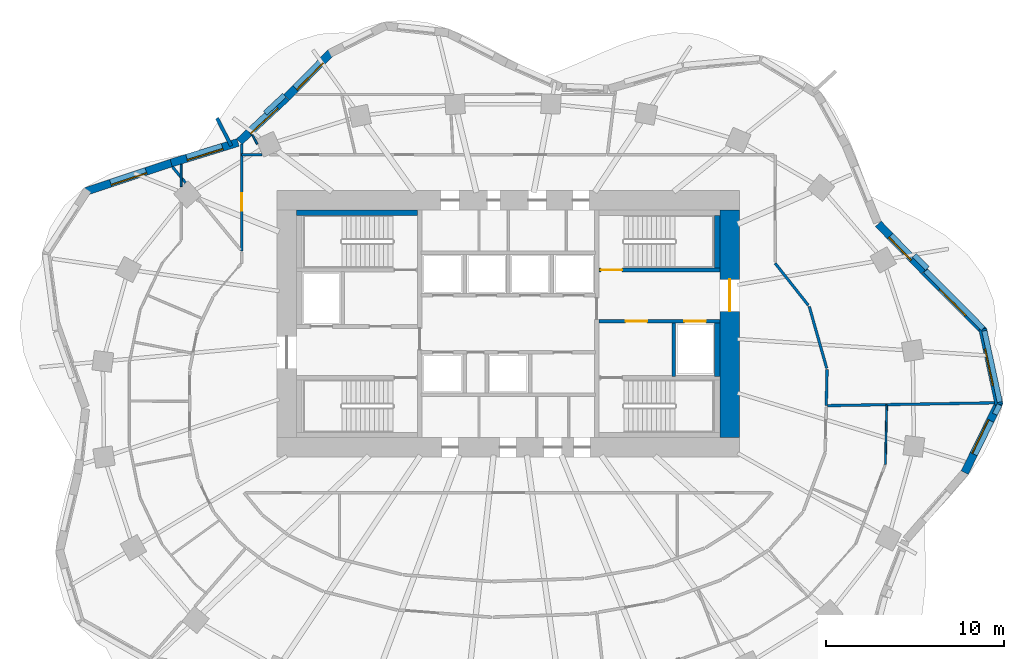
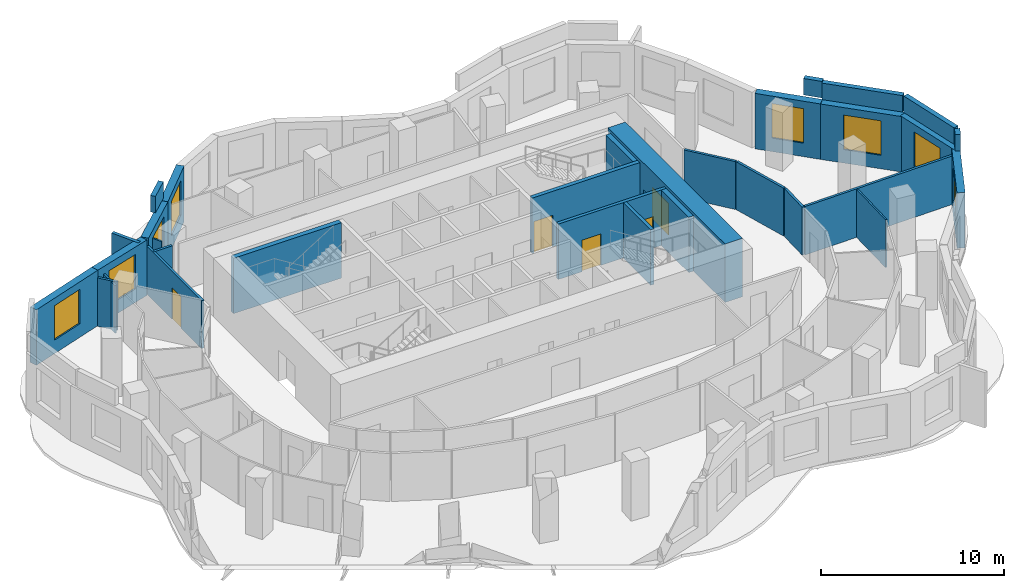
# One storey, part 7 of 10: 31 walls, 8 windows, 5 doors, 13 openings.
"""IFC4 building model written with IfcOpenShell, lengths in metres."""

import ifcopenshell
import ifcopenshell.guid

model = None  # the IFC model being written
_history = None  # IfcOwnerHistory: only IFC2X3 demands one
_inside = {}  # id of a spatial element -> (the spatial element, [elements in it])
_under = {}  # id of a project, library or spatial element -> (it, [spatial elements below it])
_declared = {}  # id of a project -> (the project, [libraries it declares])
_typed = {}  # id of a type object -> (the type object, [elements of that type])
_made_of = {}  # id of a material, layer set ... -> (it, [elements and type objects made of it])


def new_model(schema):
    """Start an empty IFC model of exactly this schema.

    Asked for "IFC4X3", IfcOpenShell would pick the latest addendum, in which some entities
    have other attributes; the version numbers below select the first issue.
    IFC2X3 requires an IfcOwnerHistory on every rooted entity: one is made here for all.
    """
    global model, _history
    if schema == "IFC4X3":
        model = ifcopenshell.file(schema_version=(4, 3, 0, 0))
    else:
        model = ifcopenshell.file(schema=schema)
    _inside.clear()
    _under.clear()
    _declared.clear()
    _typed.clear()
    _made_of.clear()
    _history = None
    if model.schema == "IFC2X3":
        org = make("IfcOrganization", Name="unknown")
        user = make(
            "IfcPersonAndOrganization",
            ThePerson=make("IfcPerson", FamilyName="unknown"),
            TheOrganization=org,
        )
        app = make(
            "IfcApplication",
            ApplicationDeveloper=org,
            Version="unknown",
            ApplicationFullName="unknown",
            ApplicationIdentifier="unknown",
        )
        _history = make(
            "IfcOwnerHistory",
            OwningUser=user,
            OwningApplication=app,
            ChangeAction="ADDED",
            CreationDate=0,
        )
    return model


def make(cls, **values):
    """One entity of the class cls with the attributes given. An attribute that is None is left unset."""
    return model.create_entity(
        cls, **{name: value for name, value in values.items() if value is not None}
    )


def rooted(cls, **values):
    """An entity with a GlobalId (a new one), such as an element, a storey or a relation."""
    return make(cls, GlobalId=ifcopenshell.guid.new(), OwnerHistory=_history, **values)


def si_unit(unit_type, name, prefix=None):
    """IfcSIUnit, for example si_unit("LENGTHUNIT", "METRE", prefix="MILLI")."""
    return make("IfcSIUnit", UnitType=unit_type, Prefix=prefix, Name=name)


def assignment(units):
    """IfcUnitAssignment: the units of a project."""
    return None if units is None else make("IfcUnitAssignment", Units=units)


def point(xyz):
    """IfcCartesianPoint."""
    return None if xyz is None else make("IfcCartesianPoint", Coordinates=xyz)


def direction(xyz):
    """IfcDirection."""
    return None if xyz is None else make("IfcDirection", DirectionRatios=xyz)


def frame(location, z_axis=None, x_axis=None):
    """IfcAxis2Placement3D, a coordinate frame: its origin and axes. An axis left out is left unset."""
    return make(
        "IfcAxis2Placement3D",
        Location=point(location),
        Axis=direction(z_axis),
        RefDirection=direction(x_axis),
    )


def frame_2d(location, x_axis=None):
    """IfcAxis2Placement2D, a coordinate frame in the plane: its origin and x axis."""
    return make(
        "IfcAxis2Placement2D", Location=point(location), RefDirection=direction(x_axis)
    )


def origin():
    """The frame at (0, 0, 0) with its axes left unset."""
    return frame((0.0, 0.0, 0.0))


def place(relative_to, where):
    """IfcLocalPlacement: puts the frame where relative to a parent placement (None: the world)."""
    return make(
        "IfcLocalPlacement", PlacementRelTo=relative_to, RelativePlacement=where
    )


def context(
    kind, dimensions, precision=None, world=None, true_north=None, identifier=None
):
    """IfcGeometricRepresentationContext, for example the 3D "Model" context."""
    return make(
        "IfcGeometricRepresentationContext",
        ContextIdentifier=identifier,
        ContextType=kind,
        CoordinateSpaceDimension=dimensions,
        Precision=precision,
        WorldCoordinateSystem=world,
        TrueNorth=true_north,
    )


def subcontext(parent, identifier, kind, view, scale=None):
    """IfcGeometricRepresentationSubContext, for example "Body" below "Model"."""
    return make(
        "IfcGeometricRepresentationSubContext",
        ContextIdentifier=identifier,
        ContextType=kind,
        ParentContext=parent,
        TargetScale=scale,
        TargetView=view,
    )


def project(units=None, contexts=None):
    """IfcProject with its units and contexts."""
    return rooted(
        "IfcProject",
        Name="project",
        RepresentationContexts=contexts,
        UnitsInContext=assignment(units),
    )


def spatial(cls, under=None, at=None, **own):
    """A site, building, storey or space (cls), placed at a placement, below another one or the project."""
    s = rooted(cls, ObjectPlacement=at, **own)
    if under is not None:
        _under.setdefault(under.id(), (under, []))[1].append(s)
    return s


def profile(cls, at=None, kind="AREA", **sizes):
    """A parametric profile (cls). Its sizes go by their IFC names, for example OverallWidth=200.0."""
    return make(cls, ProfileType=kind, Position=at, **sizes)


def rectangle(**sizes):
    """IfcRectangleProfileDef."""
    return profile("IfcRectangleProfileDef", **sizes)


def extrude(swept, where, along, depth):
    """IfcExtrudedAreaSolid: the profile swept, set in the frame where, extruded along a direction by depth."""
    return make(
        "IfcExtrudedAreaSolid",
        SweptArea=swept,
        Position=where,
        ExtrudedDirection=direction(along),
        Depth=depth,
    )


def shape(context_of_items, identifier, shape_type, items):
    """IfcShapeRepresentation: the items that make up one representation, for example the "Body"."""
    return make(
        "IfcShapeRepresentation",
        ContextOfItems=context_of_items,
        RepresentationIdentifier=identifier,
        RepresentationType=shape_type,
        Items=items,
    )


def material(Name=None, Category=None):
    """IfcMaterial."""
    return make("IfcMaterial", Name=Name, Category=Category)


def layer(
    of_material, thickness, ventilated=None, Name=None, Category=None, Priority=None
):
    """IfcMaterialLayer: one layer of a wall or slab, of a material (None: an air gap)."""
    return make(
        "IfcMaterialLayer",
        Material=of_material,
        LayerThickness=thickness,
        IsVentilated=ventilated,
        Name=Name,
        Category=Category,
        Priority=Priority,
    )


def layer_set(layers, Name=None):
    """IfcMaterialLayerSet."""
    return make("IfcMaterialLayerSet", MaterialLayers=layers, LayerSetName=Name)


def made_of(thing, what):
    """Note that an element or type object is made of a material, layer set ...; save() writes the relation."""
    if what is not None:
        _made_of.setdefault(what.id(), (what, []))[1].append(thing)
    return thing


def type_object(cls, material=None, **own):
    """A type object (cls), such as IfcWallType, which elements share."""
    return made_of(rooted(cls, **own), material)


def element(
    cls,
    number,
    at=None,
    inside=None,
    cuts=None,
    type_object=None,
    material=None,
    context=None,
    identifier="Body",
    shape_type=None,
    held_by="IfcProductDefinitionShape",
    body=None,
    shapes=None,
    **own,
):
    """One element of the class cls, such as IfcWall. Its Tag is "e" and its number.

    at: its placement. inside: the storey or other place that contains it. cuts: it is an
    opening in that element (IfcRelVoidsElement). A single representation is given by context,
    identifier, shape_type and body (its items); several are given by shapes. held_by: the class
    of the entity that holds the representations. save() writes the other relations.
    """
    e = rooted(cls, Tag="e%d" % number, ObjectPlacement=at, **own)
    if body is not None:
        shapes = [shape(context, identifier, shape_type, body)]
    if shapes is not None:
        e.Representation = make(held_by, Representations=shapes)
    if inside is not None:
        _inside.setdefault(inside.id(), (inside, []))[1].append(e)
    if cuts is not None:
        rooted(
            "IfcRelVoidsElement", RelatingBuildingElement=cuts, RelatedOpeningElement=e
        )
    if type_object is not None:
        _typed.setdefault(type_object.id(), (type_object, []))[1].append(e)
    return made_of(e, material)


def fill(opening, filler):
    """IfcRelFillsElement: the door or window that sits in an opening."""
    return rooted(
        "IfcRelFillsElement",
        RelatingOpeningElement=opening,
        RelatedBuildingElement=filler,
    )


def aggregate(whole, parts):
    """IfcRelAggregates: a whole, such as a stair, and the parts it consists of."""
    return rooted("IfcRelAggregates", RelatingObject=whole, RelatedObjects=parts)


def save(model, path):
    """Write the relations noted so far, then the file.

    IfcRelAggregates (storeys below a building ...), IfcRelContainedInSpatialStructure (elements
    in a storey), IfcRelDefinesByType, IfcRelAssociatesMaterial and IfcRelDeclares: one each for
    every whole, place, type object, material and project.
    """
    for whole, parts in _under.values():
        aggregate(whole, parts)
    for where, things in _inside.values():
        rooted(
            "IfcRelContainedInSpatialStructure",
            RelatedElements=things,
            RelatingStructure=where,
        )
    for kind, things in _typed.values():
        rooted("IfcRelDefinesByType", RelatedObjects=things, RelatingType=kind)
    for what, things in _made_of.values():
        rooted("IfcRelAssociatesMaterial", RelatedObjects=things, RelatingMaterial=what)
    for by, libraries in _declared.values():
        rooted("IfcRelDeclares", RelatingContext=by, RelatedDefinitions=libraries)
    model.write(path)


model = new_model("IFC4")

# Units and contexts
model_context = context("Model", 3, precision=1e-05, world=origin(), true_north=direction((0.0, 1.0)))
body_context = subcontext(model_context, "Body", "Model", "MODEL_VIEW")
ifc_project = project(units=[si_unit("LENGTHUNIT", "METRE"), si_unit("AREAUNIT", "SQUARE_METRE"), si_unit("VOLUMEUNIT", "CUBIC_METRE"), si_unit("PLANEANGLEUNIT", "RADIAN"), si_unit("MASSUNIT", "GRAM", prefix="KILO")], contexts=[model_context])

# Site, building, storey
site_placement = place(None, origin())
site = spatial("IfcSite", under=ifc_project, at=site_placement, CompositionType="ELEMENT")
building_placement = place(site_placement, origin())
building = spatial("IfcBuilding", under=site, at=building_placement, Name="Rubra Terraces Tower", CompositionType="ELEMENT")
storey_placement = place(building_placement, frame((0.0, 0.0, 161.699951171875)))
storey = spatial("IfcBuildingStorey", under=building, at=storey_placement, Name="L39", CompositionType="ELEMENT", Elevation=161.699951171875)

# Wall, opening, window
ifc_material_1 = material(Name="Brick masonry red-brown", Category="masonry")
ifc_layer_1 = layer(ifc_material_1, 0.449951171875)
ifc_layer_set_1 = layer_set([ifc_layer_1], Name="Brick masonry red-brown")
wall_type_1 = type_object("IfcWallType", Name="Brick facade wall 450", PredefinedType="SOLIDWALL", material=ifc_layer_set_1)
wall_1_placement = place(storey_placement, frame((27.587158203125, -0.047607421875, 0.0), z_axis=(0.0, 0.0, 1.0), x_axis=(-0.210910311825, 0.977505417052, 0.0)))
wall_1 = element("IfcWall", 1, at=wall_1_placement, inside=storey, type_object=wall_type_1, Name="Facade wall L39 bay 1", PredefinedType="SOLIDWALL", context=body_context, shape_type="SweptSolid", body=[
    extrude(rectangle(XDim=4.35693359375, YDim=0.449951171875, at=frame_2d((2.178466796875, 0.0))), origin(), (0.0, 0.0, 1.0), 3.699951171875),
])
opening_1_placement = place(wall_1_placement, frame((1.12841796875, 0.0, 0.89990234375)))
opening_1 = element("IfcOpeningElement", 2, at=opening_1_placement, cuts=wall_1, Name="Opening W1B", PredefinedType="OPENING", context=body_context, shape_type="SweptSolid", body=[
    extrude(rectangle(XDim=2.10009765625, YDim=2.300048828125, at=frame_2d((1.050048828125, 1.14990234375))), frame((0.0, 0.23486328125, 0.0), z_axis=(0.0, -1.0, 0.0), x_axis=(1.0, 0.0, 0.0)), (0.0, 0.0, 1.0), 0.469970703125),
])
ifc_material_2 = material(Name="Clear glass in aluminium frame", Category="aluminium")
window_type_1 = type_object("IfcWindowType", Name="Fixed deep-set window tall storey 2100 x 2300", PartitioningType="SINGLE_PANEL", PredefinedType="WINDOW", material=ifc_material_2)
window_1_placement = place(opening_1_placement, origin())
window_1 = element("IfcWindow", 3, at=window_1_placement, inside=storey, type_object=window_type_1, Name="Window L39 bay 1", OverallHeight=2.300048828125, OverallWidth=2.10009765625, PartitioningType="SINGLE_PANEL", PredefinedType="WINDOW", context=body_context, shape_type="SweptSolid", body=[
    extrude(rectangle(XDim=2.10009765625, YDim=2.300048828125, at=frame_2d((1.050048828125, 1.14990234375))), frame((0.0, 0.135009765625, 0.0), z_axis=(0.0, -1.0, 0.0), x_axis=(1.0, 0.0, 0.0)), (0.0, 0.0, 1.0), 0.06005859375),
])
fill(opening_1, window_1)

wall_2_placement = place(storey_placement, frame((26.725341796875, 4.103515625, 0.0), z_axis=(0.0, 0.0, 1.0), x_axis=(-0.705349231702, 0.708859973011, 0.0)))
wall_2 = element("IfcWall", 4, at=wall_2_placement, inside=storey, type_object=wall_type_1, Name="Facade wall L39 bay 2", PredefinedType="SOLIDWALL", context=body_context, shape_type="SweptSolid", body=[
    extrude(rectangle(XDim=4.728759765625, YDim=0.449951171875, at=frame_2d((2.3642578125, 0.0))), origin(), (0.0, 0.0, 1.0), 3.699951171875),
])
opening_2_placement = place(wall_2_placement, frame((1.314453125, 0.0, 0.89990234375)))
opening_2 = element("IfcOpeningElement", 5, at=opening_2_placement, cuts=wall_2, Name="Opening W1B", PredefinedType="OPENING", context=body_context, shape_type="SweptSolid", body=[
    extrude(rectangle(XDim=2.10009765625, YDim=2.300048828125, at=frame_2d((1.050048828125, 1.14990234375))), frame((0.0, 0.23486328125, 0.0), z_axis=(0.0, -1.0, 0.0), x_axis=(1.0, 0.0, 0.0)), (0.0, 0.0, 1.0), 0.469970703125),
])
window_2_placement = place(opening_2_placement, origin())
window_2 = element("IfcWindow", 6, at=window_2_placement, inside=storey, type_object=window_type_1, Name="Window L39 bay 2", OverallHeight=2.300048828125, OverallWidth=2.10009765625, PartitioningType="SINGLE_PANEL", PredefinedType="WINDOW", context=body_context, shape_type="SweptSolid", body=[
    extrude(rectangle(XDim=2.10009765625, YDim=2.300048828125, at=frame_2d((1.050048828125, 1.14990234375))), frame((0.0, 0.135009765625, 0.0), z_axis=(0.0, -1.0, 0.0), x_axis=(1.0, 0.0, 0.0)), (0.0, 0.0, 1.0), 0.06005859375),
])
fill(opening_2, window_2)

wall_3_placement = place(storey_placement, frame((23.38720703125, 7.45849609375, 0.0), z_axis=(0.0, 0.0, 1.0), x_axis=(-0.697118725762, 0.716955704484, 0.0)))
wall_3 = element("IfcWall", 7, at=wall_3_placement, inside=storey, type_object=wall_type_1, Name="Facade wall L39 bay 3", PredefinedType="SOLIDWALL", context=body_context, shape_type="SweptSolid", body=[
    extrude(rectangle(XDim=3.716796875, YDim=0.449951171875, at=frame_2d((1.8583984375, 0.0))), origin(), (0.0, 0.0, 1.0), 3.699951171875),
])
opening_3_placement = place(wall_3_placement, frame((0.95849609375, 0.0, 0.89990234375)))
opening_3 = element("IfcOpeningElement", 8, at=opening_3_placement, cuts=wall_3, Name="Opening W6B", PredefinedType="OPENING", context=body_context, shape_type="SweptSolid", body=[
    extrude(rectangle(XDim=1.800048828125, YDim=2.300048828125, at=frame_2d((0.89990234375, 1.14990234375))), frame((0.0, 0.23486328125, 0.0), z_axis=(0.0, -1.0, 0.0), x_axis=(1.0, 0.0, 0.0)), (0.0, 0.0, 1.0), 0.469970703125),
])
window_type_2 = type_object("IfcWindowType", Name="Fixed deep-set window at wind fin tall storey 1800 x 2300", PartitioningType="SINGLE_PANEL", PredefinedType="WINDOW", material=ifc_material_2)
window_3_placement = place(opening_3_placement, origin())
window_3 = element("IfcWindow", 9, at=window_3_placement, inside=storey, type_object=window_type_2, Name="Window L39 bay 3", OverallHeight=2.300048828125, OverallWidth=1.800048828125, PartitioningType="SINGLE_PANEL", PredefinedType="WINDOW", context=body_context, shape_type="SweptSolid", body=[
    extrude(rectangle(XDim=1.800048828125, YDim=2.300048828125, at=frame_2d((0.89990234375, 1.14990234375))), frame((0.0, 0.135009765625, 0.0), z_axis=(0.0, -1.0, 0.0), x_axis=(1.0, 0.0, 0.0)), (0.0, 0.0, 1.0), 0.06005859375),
])
fill(opening_3, window_3)

wall_4_placement = place(storey_placement, frame((-9.98388671875, 19.744873046875, 0.0), z_axis=(0.0, 0.0, 1.0), x_axis=(-0.701875966769, -0.712299183821, 0.0)))
wall_4 = element("IfcWall", 10, at=wall_4_placement, inside=storey, type_object=wall_type_1, Name="Facade wall L39 bay 14", PredefinedType="SOLIDWALL", context=body_context, shape_type="SweptSolid", body=[
    extrude(rectangle(XDim=3.536865234375, YDim=0.449951171875, at=frame_2d((1.7685546875, 0.0))), origin(), (0.0, 0.0, 1.0), 3.699951171875),
])
opening_4_placement = place(wall_4_placement, frame((0.71826171875, 0.0, 0.89990234375)))
opening_4 = element("IfcOpeningElement", 11, at=opening_4_placement, cuts=wall_4, Name="Opening W1B", PredefinedType="OPENING", context=body_context, shape_type="SweptSolid", body=[
    extrude(rectangle(XDim=2.10009765625, YDim=2.300048828125, at=frame_2d((1.050048828125, 1.14990234375))), frame((0.0, 0.23486328125, 0.0), z_axis=(0.0, -1.0, 0.0), x_axis=(1.0, 0.0, 0.0)), (0.0, 0.0, 1.0), 0.469970703125),
])
window_4_placement = place(opening_4_placement, origin())
window_4 = element("IfcWindow", 12, at=window_4_placement, inside=storey, type_object=window_type_1, Name="Window L39 bay 14", OverallHeight=2.300048828125, OverallWidth=2.10009765625, PartitioningType="SINGLE_PANEL", PredefinedType="WINDOW", context=body_context, shape_type="SweptSolid", body=[
    extrude(rectangle(XDim=2.10009765625, YDim=2.300048828125, at=frame_2d((1.050048828125, 1.14990234375))), frame((0.0, 0.135009765625, 0.0), z_axis=(0.0, -1.0, 0.0), x_axis=(1.0, 0.0, 0.0)), (0.0, 0.0, 1.0), 0.06005859375),
])
fill(opening_4, window_4)

wall_5_placement = place(storey_placement, frame((-12.47314453125, 17.21923828125, 0.0), z_axis=(0.0, 0.0, 1.0), x_axis=(-0.730618259172, -0.68278617397, 0.0)))
wall_5 = element("IfcWall", 13, at=wall_5_placement, inside=storey, type_object=wall_type_1, Name="Facade wall L39 bay 15", PredefinedType="SOLIDWALL", context=body_context, shape_type="SweptSolid", body=[
    extrude(rectangle(XDim=3.6240234375, YDim=0.449951171875, at=frame_2d((1.81201171875, 0.0))), origin(), (0.0, 0.0, 1.0), 3.699951171875),
])
opening_5_placement = place(wall_5_placement, frame((0.761962890625, 0.0, 0.89990234375)))
opening_5 = element("IfcOpeningElement", 14, at=opening_5_placement, cuts=wall_5, Name="Opening W1B", PredefinedType="OPENING", context=body_context, shape_type="SweptSolid", body=[
    extrude(rectangle(XDim=2.10009765625, YDim=2.300048828125, at=frame_2d((1.050048828125, 1.14990234375))), frame((0.0, 0.23486328125, 0.0), z_axis=(0.0, -1.0, 0.0), x_axis=(1.0, 0.0, 0.0)), (0.0, 0.0, 1.0), 0.469970703125),
])
window_5_placement = place(opening_5_placement, origin())
window_5 = element("IfcWindow", 15, at=window_5_placement, inside=storey, type_object=window_type_1, Name="Window L39 bay 15", OverallHeight=2.300048828125, OverallWidth=2.10009765625, PartitioningType="SINGLE_PANEL", PredefinedType="WINDOW", context=body_context, shape_type="SweptSolid", body=[
    extrude(rectangle(XDim=2.10009765625, YDim=2.300048828125, at=frame_2d((1.050048828125, 1.14990234375))), frame((0.0, 0.135009765625, 0.0), z_axis=(0.0, -1.0, 0.0), x_axis=(1.0, 0.0, 0.0)), (0.0, 0.0, 1.0), 0.06005859375),
])
fill(opening_5, window_5)

wall_6_placement = place(storey_placement, frame((-15.200439453125, 14.697998046875, 0.0), z_axis=(0.0, 0.0, 1.0), x_axis=(-0.955797807378, -0.294024746256, 0.0)))
wall_6 = element("IfcWall", 16, at=wall_6_placement, inside=storey, type_object=wall_type_1, Name="Facade wall L39 bay 16", PredefinedType="SOLIDWALL", context=body_context, shape_type="SweptSolid", body=[
    extrude(rectangle(XDim=3.930908203125, YDim=0.449951171875, at=frame_2d((1.96533203125, 0.0))), origin(), (0.0, 0.0, 1.0), 3.699951171875),
])
opening_6_placement = place(wall_6_placement, frame((0.915283203125, 0.0, 0.89990234375)))
opening_6 = element("IfcOpeningElement", 17, at=opening_6_placement, cuts=wall_6, Name="Opening W1B", PredefinedType="OPENING", context=body_context, shape_type="SweptSolid", body=[
    extrude(rectangle(XDim=2.10009765625, YDim=2.300048828125, at=frame_2d((1.050048828125, 1.14990234375))), frame((0.0, 0.23486328125, 0.0), z_axis=(0.0, -1.0, 0.0), x_axis=(1.0, 0.0, 0.0)), (0.0, 0.0, 1.0), 0.469970703125),
])
window_6_placement = place(opening_6_placement, origin())
window_6 = element("IfcWindow", 18, at=window_6_placement, inside=storey, type_object=window_type_1, Name="Window L39 bay 16", OverallHeight=2.300048828125, OverallWidth=2.10009765625, PartitioningType="SINGLE_PANEL", PredefinedType="WINDOW", context=body_context, shape_type="SweptSolid", body=[
    extrude(rectangle(XDim=2.10009765625, YDim=2.300048828125, at=frame_2d((1.050048828125, 1.14990234375))), frame((0.0, 0.135009765625, 0.0), z_axis=(0.0, -1.0, 0.0), x_axis=(1.0, 0.0, 0.0)), (0.0, 0.0, 1.0), 0.06005859375),
])
fill(opening_6, window_6)

wall_7_placement = place(storey_placement, frame((-18.953857421875, 13.54345703125, 0.0), z_axis=(0.0, 0.0, 1.0), x_axis=(-0.948673679101, -0.316256621402, 0.0)))
wall_7 = element("IfcWall", 19, at=wall_7_placement, inside=storey, type_object=wall_type_1, Name="Facade wall L39 bay 17", PredefinedType="SOLIDWALL", context=body_context, shape_type="SweptSolid", body=[
    extrude(rectangle(XDim=5.076416015625, YDim=0.449951171875, at=frame_2d((2.5380859375, 0.0))), origin(), (0.0, 0.0, 1.0), 3.699951171875),
])
opening_7_placement = place(wall_7_placement, frame((1.48828125, 0.0, 0.89990234375)))
opening_7 = element("IfcOpeningElement", 20, at=opening_7_placement, cuts=wall_7, Name="Opening W1B", PredefinedType="OPENING", context=body_context, shape_type="SweptSolid", body=[
    extrude(rectangle(XDim=2.10009765625, YDim=2.300048828125, at=frame_2d((1.050048828125, 1.14990234375))), frame((0.0, 0.23486328125, 0.0), z_axis=(0.0, -1.0, 0.0), x_axis=(1.0, 0.0, 0.0)), (0.0, 0.0, 1.0), 0.469970703125),
])
window_7_placement = place(opening_7_placement, origin())
window_7 = element("IfcWindow", 21, at=window_7_placement, inside=storey, type_object=window_type_1, Name="Window L39 bay 17", OverallHeight=2.300048828125, OverallWidth=2.10009765625, PartitioningType="SINGLE_PANEL", PredefinedType="WINDOW", context=body_context, shape_type="SweptSolid", body=[
    extrude(rectangle(XDim=2.10009765625, YDim=2.300048828125, at=frame_2d((1.050048828125, 1.14990234375))), frame((0.0, 0.135009765625, 0.0), z_axis=(0.0, -1.0, 0.0), x_axis=(1.0, 0.0, 0.0)), (0.0, 0.0, 1.0), 0.06005859375),
])
fill(opening_7, window_7)

wall_8_placement = place(storey_placement, frame((25.65869140625, -3.863525390625, 0.0), z_axis=(0.0, 0.0, 1.0), x_axis=(0.440853857785, 0.897578896853, 0.0)))
wall_8 = element("IfcWall", 22, at=wall_8_placement, inside=storey, type_object=wall_type_1, Name="Facade wall L39 bay 40", PredefinedType="SOLIDWALL", context=body_context, shape_type="SweptSolid", body=[
    extrude(rectangle(XDim=4.414794921875, YDim=0.449951171875, at=frame_2d((2.20751953125, 0.0))), origin(), (0.0, 0.0, 1.0), 3.699951171875),
])
opening_8_placement = place(wall_8_placement, frame((1.157470703125, 0.0, 0.89990234375)))
opening_8 = element("IfcOpeningElement", 23, at=opening_8_placement, cuts=wall_8, Name="Opening W1B", PredefinedType="OPENING", context=body_context, shape_type="SweptSolid", body=[
    extrude(rectangle(XDim=2.10009765625, YDim=2.300048828125, at=frame_2d((1.050048828125, 1.14990234375))), frame((0.0, 0.23486328125, 0.0), z_axis=(0.0, -1.0, 0.0), x_axis=(1.0, 0.0, 0.0)), (0.0, 0.0, 1.0), 0.469970703125),
])
window_8_placement = place(opening_8_placement, origin())
window_8 = element("IfcWindow", 24, at=window_8_placement, inside=storey, type_object=window_type_1, Name="Window L39 bay 40", OverallHeight=2.300048828125, OverallWidth=2.10009765625, PartitioningType="SINGLE_PANEL", PredefinedType="WINDOW", context=body_context, shape_type="SweptSolid", body=[
    extrude(rectangle(XDim=2.10009765625, YDim=2.300048828125, at=frame_2d((1.050048828125, 1.14990234375))), frame((0.0, 0.135009765625, 0.0), z_axis=(0.0, -1.0, 0.0), x_axis=(1.0, 0.0, 0.0)), (0.0, 0.0, 1.0), 0.06005859375),
])
fill(opening_8, window_8)

# Walls
ifc_layer_2 = layer(ifc_material_1, 0.300048828125)
ifc_layer_set_2 = layer_set([ifc_layer_2], Name="Brick masonry red-brown")
wall_type_2 = type_object("IfcWallType", Name="Brick parapet 300", PredefinedType="PARAPET", material=ifc_layer_set_2)
wall_9_placement = place(storey_placement, frame((27.632080078125, 0.099609375, 3.900146484375), z_axis=(0.0, 0.0, 1.0), x_axis=(-0.210962679137, 0.977494116612, 0.0)))
element("IfcWall", 25, at=wall_9_placement, inside=storey, type_object=wall_type_2, Name="Parapet L39 bay 1", PredefinedType="PARAPET", context=body_context, shape_type="SweptSolid", body=[
    extrude(rectangle(XDim=4.104736328125, YDim=0.300048828125, at=frame_2d((2.05224609375, 0.0))), origin(), (0.0, 0.0, 1.0), 1.099853515625),
])
wall_10_placement = place(storey_placement, frame((26.698486328125, 4.23681640625, 3.900146484375), z_axis=(0.0, 0.0, 1.0), x_axis=(-0.705345759681, 0.708863427819, 0.0)))
element("IfcWall", 26, at=wall_10_placement, inside=storey, type_object=wall_type_2, Name="Parapet L39 bay 2", PredefinedType="PARAPET", context=body_context, shape_type="SweptSolid", body=[
    extrude(rectangle(XDim=4.58056640625, YDim=0.300048828125, at=frame_2d((2.290283203125, 0.0))), origin(), (0.0, 0.0, 1.0), 1.099853515625),
])
wall_11_placement = place(storey_placement, frame((23.552490234375, 7.611083984375, 3.900146484375), z_axis=(0.0, 0.0, 1.0), x_axis=(-0.697078393292, 0.716994918814, 0.0)))
element("IfcWall", 27, at=wall_11_placement, inside=storey, type_object=wall_type_2, Name="Parapet L39 bay 3", PredefinedType="PARAPET", context=body_context, shape_type="SweptSolid", body=[
    extrude(rectangle(XDim=1.0419921875, YDim=0.300048828125, at=frame_2d((0.52099609375, 0.0))), origin(), (0.0, 0.0, 1.0), 1.099853515625),
])
wall_12_placement = place(storey_placement, frame((-12.5927734375, 17.35107421875, 3.900146484375), z_axis=(0.0, 0.0, 1.0), x_axis=(-0.730582493513, -0.682824443157, 0.0)))
element("IfcWall", 28, at=wall_12_placement, inside=storey, type_object=wall_type_2, Name="Parapet L39 bay 15", PredefinedType="PARAPET", context=body_context, shape_type="SweptSolid", body=[
    extrude(rectangle(XDim=1.477294921875, YDim=0.300048828125, at=frame_2d((0.73876953125, 0.0))), origin(), (0.0, 0.0, 1.0), 1.099853515625),
])
wall_13_placement = place(storey_placement, frame((27.35205078125, -0.586181640625, 3.900146484375), z_axis=(0.0, 0.0, 1.0), x_axis=(0.440938824915, 0.8975371595, 0.0)))
element("IfcWall", 29, at=wall_13_placement, inside=storey, type_object=wall_type_2, Name="Parapet L39 bay 40", PredefinedType="PARAPET", context=body_context, shape_type="SweptSolid", body=[
    extrude(rectangle(XDim=0.592529296875, YDim=0.300048828125, at=frame_2d((0.29638671875, 0.0))), origin(), (0.0, 0.0, 1.0), 1.099853515625),
])
ifc_layer_3 = layer(ifc_material_1, 0.199951171875)
ifc_layer_set_3 = layer_set([ifc_layer_3], Name="Brick masonry red-brown")
wall_type_3 = type_object("IfcWallType", Name="Brick wind fin 200", PredefinedType="SOLIDWALL", material=ifc_layer_set_3)
wall_14_placement = place(storey_placement, frame((-15.5869140625, 14.507080078125, 0.0), z_axis=(0.0, 0.0, 1.0), x_axis=(-0.452117231361, 0.89195852432, 0.0)))
element("IfcWall", 30, at=wall_14_placement, inside=storey, type_object=wall_type_3, Name="Wind fin L39 8", PredefinedType="SOLIDWALL", context=body_context, shape_type="SweptSolid", body=[
    extrude(rectangle(XDim=1.75, YDim=0.199951171875, at=frame_2d((0.875, 0.0))), origin(), (0.0, 0.0, 1.0), 3.699951171875),
])

# Wall, opening, door
ifc_material_3 = material(Name="Concrete C60", Category="concrete")
ifc_layer_4 = layer(ifc_material_3, 1.10009765625)
ifc_layer_set_4 = layer_set([ifc_layer_4], Name="Concrete C60")
wall_type_4 = type_object("IfcWallType", Name="CORE WALL 1100 C60", PredefinedType="SHEAR", material=ifc_layer_set_4)
wall_15_placement = place(storey_placement, frame((12.449951171875, -1.89990234375, 0.0), z_axis=(0.0, 0.0, 1.0), x_axis=(0.0, 1.0, 0.0)))
wall_15 = element("IfcWall", 31, at=wall_15_placement, inside=storey, type_object=wall_type_4, Name="CORE WALL E L39", PredefinedType="SHEAR", context=body_context, shape_type="SweptSolid", body=[
    extrude(rectangle(XDim=12.7998046875, YDim=1.10009765625, at=frame_2d((6.39990234375, 0.0))), origin(), (0.0, 0.0, 1.0), 3.900146484375),
])
opening_9_placement = place(wall_15_placement, frame((7.10009765625, 0.0, 0.0)))
opening_9 = element("IfcOpeningElement", 32, at=opening_9_placement, cuts=wall_15, Name="Opening L39.C02", PredefinedType="OPENING", context=body_context, shape_type="SweptSolid", body=[
    extrude(rectangle(XDim=1.800048828125, YDim=2.10009765625, at=frame_2d((0.89990234375, 1.050048828125))), frame((0.0, 0.56005859375, 0.0), z_axis=(0.0, -1.0, 0.0), x_axis=(1.0, 0.0, 0.0)), (0.0, 0.0, 1.0), 1.1201171875),
])
ifc_material_4 = material(Name="Painted steel", Category="steel")
door_type_1 = type_object("IfcDoorType", Name="Fire door 1800x2100 double", OperationType="NOTDEFINED", PredefinedType="DOOR", material=ifc_material_4)
door_1_placement = place(opening_9_placement, origin())
door_1 = element("IfcDoor", 33, at=door_1_placement, inside=storey, type_object=door_type_1, Name="Core entrance door FF2", OperationType="DOUBLE_DOOR_SINGLE_SWING", OverallHeight=2.10009765625, OverallWidth=1.800048828125, PredefinedType="DOOR", context=body_context, shape_type="SweptSolid", body=[
    extrude(rectangle(XDim=1.800048828125, YDim=2.10009765625, at=frame_2d((0.89990234375, 1.050048828125))), frame((0.0, 0.02490234375, 0.0), z_axis=(0.0, -1.0, 0.0), x_axis=(1.0, 0.0, 0.0)), (0.0, 0.0, 1.0), 0.050048828125),
])
fill(opening_9, door_1)

# Walls
ifc_material_5 = material(Name="Plasterboard on steel stud, mineral wool infill", Category="steel")
ifc_layer_5 = layer(ifc_material_5, 0.14990234375)
ifc_layer_set_5 = layer_set([ifc_layer_5], Name="Plasterboard on steel stud, mineral wool infill")
wall_type_5 = type_object("IfcWallType", Name="CORRIDOR PARTITION 150", PredefinedType="PARTITIONING", material=ifc_layer_set_5)
wall_16_placement = place(storey_placement, frame((17.87353515625, -0.101806640625, 0.0), z_axis=(0.0, 0.0, 1.0), x_axis=(0.023092973745, 0.999733321723, 0.0)))
element("IfcWall", 34, at=wall_16_placement, inside=storey, type_object=wall_type_5, Name="PARTITION", PredefinedType="PARTITIONING", context=body_context, shape_type="SweptSolid", body=[
    extrude(rectangle(XDim=2.02978515625, YDim=0.14990234375, at=frame_2d((1.014892578125, 0.0))), origin(), (0.0, 0.0, 1.0), 3.197998046875),
])
wall_17_placement = place(storey_placement, frame((17.89990234375, 1.999755859375, 0.0), z_axis=(0.0, 0.0, 1.0), x_axis=(-0.271937977746, 0.962314780235, 0.0)))
element("IfcWall", 35, at=wall_17_placement, inside=storey, type_object=wall_type_5, Name="PARTITION", PredefinedType="PARTITIONING", context=body_context, shape_type="SweptSolid", body=[
    extrude(rectangle(XDim=3.6162109375, YDim=0.14990234375, at=frame_2d((1.80810546875, 0.0))), origin(), (0.0, 0.0, 1.0), 3.197998046875),
])
wall_18_placement = place(storey_placement, frame((16.869873046875, 5.53857421875, 0.0), z_axis=(0.0, 0.0, 1.0), x_axis=(-0.620093074114, 0.784528252796, 0.0)))
element("IfcWall", 36, at=wall_18_placement, inside=storey, type_object=wall_type_5, Name="PARTITION", PredefinedType="PARTITIONING", context=body_context, shape_type="SweptSolid", body=[
    extrude(rectangle(XDim=3.015380859375, YDim=0.14990234375, at=frame_2d((1.5078125, 0.0))), origin(), (0.0, 0.0, 1.0), 3.197998046875),
])
wall_19_placement = place(storey_placement, frame((-13.841552734375, 14.0, 0.0), z_axis=(0.0, 0.0, 1.0), x_axis=(-1.0, 0.0, 0.0)))
element("IfcWall", 37, at=wall_19_placement, inside=storey, type_object=wall_type_5, Name="PARTITION", PredefinedType="PARTITIONING", context=body_context, shape_type="SweptSolid", body=[
    extrude(rectangle(XDim=1.158447265625, YDim=0.14990234375, at=frame_2d((0.5791015625, 0.0))), origin(), (0.0, 0.0, 1.0), 3.197998046875),
])

# Wall, opening, door
wall_20_placement = place(storey_placement, frame((-15.0, 14.605712890625, 0.0), z_axis=(0.0, 0.0, 1.0), x_axis=(0.0, -1.0, 0.0)))
wall_20 = element("IfcWall", 38, at=wall_20_placement, inside=storey, type_object=wall_type_5, Name="PARTITION", PredefinedType="PARTITIONING", context=body_context, shape_type="SweptSolid", body=[
    extrude(rectangle(XDim=6.005126953125, YDim=0.14990234375, at=frame_2d((3.00244140625, 0.0))), origin(), (0.0, 0.0, 1.0), 3.197998046875),
])
opening_10_placement = place(wall_20_placement, frame((2.75, 0.0, 0.0)))
opening_10 = element("IfcOpeningElement", 39, at=opening_10_placement, cuts=wall_20, Name="Opening 39-121", PredefinedType="OPENING", context=body_context, shape_type="SweptSolid", body=[
    extrude(rectangle(XDim=1.0, YDim=2.10009765625, at=frame_2d((0.5, 1.050048828125))), frame((0.0, 0.0849609375, 0.0), z_axis=(0.0, -1.0, 0.0), x_axis=(1.0, 0.0, 0.0)), (0.0, 0.0, 1.0), 0.169921875),
])
ifc_material_6 = material(Name="Painted timber door leaf", Category="wood")
door_type_2 = type_object("IfcDoorType", Name="ROOM DOOR 1000 X 2100", OperationType="SINGLE_SWING_LEFT", PredefinedType="DOOR", material=ifc_material_6)
door_2_placement = place(opening_10_placement, origin())
door_2 = element("IfcDoor", 40, at=door_2_placement, inside=storey, type_object=door_type_2, Name="DOOR 39-121", OperationType="SINGLE_SWING_RIGHT", OverallHeight=2.10009765625, OverallWidth=1.0, PredefinedType="DOOR", context=body_context, shape_type="SweptSolid", body=[
    extrude(rectangle(XDim=1.0, YDim=2.10009765625, at=frame_2d((0.5, 1.050048828125))), frame((0.0, 0.02490234375, 0.0), z_axis=(0.0, -1.0, 0.0), x_axis=(1.0, 0.0, 0.0)), (0.0, 0.0, 1.0), 0.050048828125),
])
fill(opening_10, door_2)

# Walls
ifc_material_7 = material(Name="Concrete C40", Category="concrete")
ifc_layer_6 = layer(ifc_material_7, 0.300048828125)
ifc_layer_set_6 = layer_set([ifc_layer_6], Name="Concrete C40")
wall_type_6 = type_object("IfcWallType", Name="Core lining wall 300 concrete", PredefinedType="SOLIDWALL", material=ifc_layer_set_6)
wall_21_placement = place(storey_placement, frame((-11.89990234375, 10.75, 0.0), z_axis=(0.0, 0.0, 1.0), x_axis=(1.0, 0.0, 0.0)))
element("IfcWall", 41, at=wall_21_placement, inside=storey, type_object=wall_type_6, Name="CORE LINING WALL L39", PredefinedType="SOLIDWALL", context=body_context, shape_type="SweptSolid", body=[
    extrude(rectangle(XDim=6.7998046875, YDim=0.300048828125, at=frame_2d((3.39990234375, 0.0))), origin(), (0.0, 0.0, 1.0), 3.699951171875),
])
wall_22_placement = place(storey_placement, frame((11.75, 10.60009765625, 0.0), z_axis=(0.0, 0.0, 1.0), x_axis=(0.0, -1.0, 0.0)))
element("IfcWall", 42, at=wall_22_placement, inside=storey, type_object=wall_type_6, Name="CORE LINING WALL L39", PredefinedType="SOLIDWALL", context=body_context, shape_type="SweptSolid", body=[
    extrude(rectangle(XDim=2.9501953125, YDim=0.300048828125, at=frame_2d((1.47509765625, 0.0))), origin(), (0.0, 0.0, 1.0), 3.699951171875),
])
wall_23_placement = place(storey_placement, frame((11.75, 4.550048828125, 0.0), z_axis=(0.0, 0.0, 1.0), x_axis=(0.0, -1.0, 0.0)))
element("IfcWall", 43, at=wall_23_placement, inside=storey, type_object=wall_type_6, Name="CORE LINING WALL L39", PredefinedType="SOLIDWALL", context=body_context, shape_type="SweptSolid", body=[
    extrude(rectangle(XDim=3.0, YDim=0.300048828125, at=frame_2d((1.5, 0.0))), origin(), (0.0, 0.0, 1.0), 3.699951171875),
])

# Wall, openings, doors
ifc_material_8 = material(Name="Concrete C30", Category="concrete")
ifc_layer_7 = layer(ifc_material_8, 0.199951171875)
ifc_layer_set_7 = layer_set([ifc_layer_7], Name="Concrete C30")
wall_type_7 = type_object("IfcWallType", Name="Core wall 200 concrete", PredefinedType="SOLIDWALL", material=ifc_layer_set_7)
wall_24_placement = place(storey_placement, frame((11.89990234375, 4.64990234375, 0.0), z_axis=(0.0, 0.0, 1.0), x_axis=(-1.0, 0.0, 0.0)))
wall_24 = element("IfcWall", 44, at=wall_24_placement, inside=storey, type_object=wall_type_7, Name="STAIR WALL L39", PredefinedType="SOLIDWALL", context=body_context, shape_type="SweptSolid", body=[
    extrude(rectangle(XDim=6.7998046875, YDim=0.199951171875, at=frame_2d((3.39990234375, 0.0))), origin(), (0.0, 0.0, 1.0), 3.699951171875),
])
opening_11_placement = place(wall_24_placement, frame((4.10009765625, 0.0, 0.0)))
opening_11 = element("IfcOpeningElement", 45, at=opening_11_placement, cuts=wall_24, Name="Opening L39.C06", PredefinedType="OPENING", context=body_context, shape_type="SweptSolid", body=[
    extrude(rectangle(XDim=1.199951171875, YDim=2.10009765625, at=frame_2d((0.60009765625, 1.050048828125))), frame((0.0, 0.10986328125, 0.0), z_axis=(0.0, -1.0, 0.0), x_axis=(1.0, 0.0, 0.0)), (0.0, 0.0, 1.0), 0.219970703125),
])
opening_12_placement = place(wall_24_placement, frame((0.800048828125, 0.0, 0.0)))
opening_12 = element("IfcOpeningElement", 46, at=opening_12_placement, cuts=wall_24, Name="Opening L39.C12", PredefinedType="OPENING", context=body_context, shape_type="SweptSolid", body=[
    extrude(rectangle(XDim=1.199951171875, YDim=2.10009765625, at=frame_2d((0.60009765625, 1.050048828125))), frame((0.0, 0.10986328125, 0.0), z_axis=(0.0, -1.0, 0.0), x_axis=(1.0, 0.0, 0.0)), (0.0, 0.0, 1.0), 0.219970703125),
])
door_type_3 = type_object("IfcDoorType", Name="Fire door 1200x2100 single", OperationType="NOTDEFINED", PredefinedType="DOOR", material=ifc_material_4)
door_3_placement = place(opening_11_placement, origin())
door_3 = element("IfcDoor", 47, at=door_3_placement, inside=storey, type_object=door_type_3, Name="Stair vestibule door S4", OperationType="SINGLE_SWING_RIGHT", OverallHeight=2.10009765625, OverallWidth=1.199951171875, PredefinedType="DOOR", context=body_context, shape_type="SweptSolid", body=[
    extrude(rectangle(XDim=1.199951171875, YDim=2.10009765625, at=frame_2d((0.60009765625, 1.050048828125))), frame((0.0, 0.02490234375, 0.0), z_axis=(0.0, -1.0, 0.0), x_axis=(1.0, 0.0, 0.0)), (0.0, 0.0, 1.0), 0.050048828125),
])
fill(opening_11, door_3)
ifc_material_9 = material(Name="Stainless steel", Category="steel")
door_type_4 = type_object("IfcDoorType", Name="Lift landing door 1200x2100", OperationType="NOTDEFINED", PredefinedType="DOOR", material=ifc_material_9)
door_4_placement = place(opening_12_placement, origin())
door_4 = element("IfcDoor", 48, at=door_4_placement, inside=storey, type_object=door_type_4, Name="Landing door FF2", OperationType="SLIDING_TO_RIGHT", OverallHeight=2.10009765625, OverallWidth=1.199951171875, PredefinedType="DOOR", context=body_context, shape_type="SweptSolid", body=[
    extrude(rectangle(XDim=1.199951171875, YDim=2.10009765625, at=frame_2d((0.60009765625, 1.050048828125))), frame((0.0, 0.02490234375, 0.0), z_axis=(0.0, -1.0, 0.0), x_axis=(1.0, 0.0, 0.0)), (0.0, 0.0, 1.0), 0.050048828125),
])
fill(opening_12, door_4)

# Walls
wall_25_placement = place(storey_placement, frame((9.300048828125, 4.550048828125, 0.0), z_axis=(0.0, 0.0, 1.0), x_axis=(0.0, -1.0, 0.0)))
element("IfcWall", 49, at=wall_25_placement, inside=storey, type_object=wall_type_7, Name="STAIR WALL L39", PredefinedType="SOLIDWALL", context=body_context, shape_type="SweptSolid", body=[
    extrude(rectangle(XDim=3.0, YDim=0.199951171875, at=frame_2d((1.5, 0.0))), origin(), (0.0, 0.0, 1.0), 3.699951171875),
])
ifc_material_10 = material(Name="Plasterboard on steel stud", Category="steel")
ifc_layer_8 = layer(ifc_material_10, 0.10009765625)
ifc_layer_set_8 = layer_set([ifc_layer_8], Name="Plasterboard on steel stud")
wall_type_8 = type_object("IfcWallType", Name="ROOM PARTITION 100", PredefinedType="PARTITIONING", material=ifc_layer_set_8)
wall_26_placement = place(storey_placement, frame((-14.1171875, 14.60400390625, 0.0), z_axis=(0.0, 0.0, 1.0), x_axis=(-0.471500806851, 0.881865629866, 0.0)))
element("IfcWall", 50, at=wall_26_placement, inside=storey, type_object=wall_type_8, Name="PARTITION", PredefinedType="PARTITIONING", context=body_context, shape_type="SweptSolid", body=[
    extrude(rectangle(XDim=0.5830078125, YDim=0.10009765625, at=frame_2d((0.29150390625, 0.0))), origin(), (0.0, 0.0, 1.0), 3.197998046875),
])
wall_27_placement = place(storey_placement, frame((-18.39990234375, 12.215576171875, 0.0), z_axis=(0.0, 0.0, 1.0), x_axis=(0.0, 1.0, 0.0)))
element("IfcWall", 51, at=wall_27_placement, inside=storey, type_object=wall_type_8, Name="PARTITION", PredefinedType="PARTITIONING", context=body_context, shape_type="SweptSolid", body=[
    extrude(rectangle(XDim=1.252685546875, YDim=0.10009765625, at=frame_2d((0.62646484375, 0.0))), origin(), (0.0, 0.0, 1.0), 3.197998046875),
])
wall_28_placement = place(storey_placement, frame((21.275390625, -0.064208984375, 0.0), z_axis=(0.0, 0.0, 1.0), x_axis=(-0.023072470178, -0.999733795127, 0.0)))
element("IfcWall", 52, at=wall_28_placement, inside=storey, type_object=wall_type_8, Name="PARTITION", PredefinedType="PARTITIONING", context=body_context, shape_type="SweptSolid", body=[
    extrude(rectangle(XDim=3.333251953125, YDim=0.10009765625, at=frame_2d((1.66650390625, 0.0))), origin(), (0.0, 0.0, 1.0), 3.197998046875),
])
ifc_layer_9 = layer(ifc_material_10, 0.14990234375)
ifc_layer_set_9 = layer_set([ifc_layer_9], Name="Plasterboard on steel stud")
wall_type_9 = type_object("IfcWallType", Name="ROOM PARTITION 150", PredefinedType="PARTITIONING", material=ifc_layer_set_9)
wall_29_placement = place(storey_placement, frame((27.32958984375, 0.057861328125, 0.0), z_axis=(0.0, 0.0, 1.0), x_axis=(-0.999857832724, -0.016861623308, 0.0)))
element("IfcWall", 53, at=wall_29_placement, inside=storey, type_object=wall_type_9, Name="PARTITION", PredefinedType="PARTITIONING", context=body_context, shape_type="SweptSolid", body=[
    extrude(rectangle(XDim=9.38232421875, YDim=0.14990234375, at=frame_2d((4.691162109375, 0.0))), origin(), (0.0, 0.0, 1.0), 3.234130859375),
])
wall_30_placement = place(storey_placement, frame((-18.88720703125, 13.32421875, 0.0), z_axis=(0.0, 0.0, 1.0), x_axis=(0.635358170391, -0.772217582886, 0.0)))
element("IfcWall", 54, at=wall_30_placement, inside=storey, type_object=wall_type_9, Name="PARTITION", PredefinedType="PARTITIONING", context=body_context, shape_type="SweptSolid", body=[
    extrude(rectangle(XDim=1.15234375, YDim=0.14990234375, at=frame_2d((0.576171875, 0.0))), origin(), (0.0, 0.0, 1.0), 3.234130859375),
])

# Wall, opening, door
ifc_layer_10 = layer(ifc_material_7, 0.25)
ifc_layer_set_10 = layer_set([ifc_layer_10], Name="Concrete C40")
wall_type_10 = type_object("IfcWallType", Name="Stair enclosure wall 250 concrete", PredefinedType="SOLIDWALL", material=ifc_layer_set_10)
wall_31_placement = place(storey_placement, frame((11.89990234375, 7.52490234375, 0.0), z_axis=(0.0, 0.0, 1.0), x_axis=(-1.0, 0.0, 0.0)))
wall_31 = element("IfcWall", 55, at=wall_31_placement, inside=storey, type_object=wall_type_10, Name="STAIR WALL L39", PredefinedType="SOLIDWALL", context=body_context, shape_type="SweptSolid", body=[
    extrude(rectangle(XDim=6.7998046875, YDim=0.25, at=frame_2d((3.39990234375, 0.0))), origin(), (0.0, 0.0, 1.0), 3.699951171875),
])
opening_13_placement = place(wall_31_placement, frame((5.5, 0.0, 0.0)))
opening_13 = element("IfcOpeningElement", 56, at=opening_13_placement, cuts=wall_31, Name="Opening L39.C08", PredefinedType="OPENING", context=body_context, shape_type="SweptSolid", body=[
    extrude(rectangle(XDim=1.199951171875, YDim=2.10009765625, at=frame_2d((0.60009765625, 1.050048828125))), frame((0.0, 0.135009765625, 0.0), z_axis=(0.0, -1.0, 0.0), x_axis=(1.0, 0.0, 0.0)), (0.0, 0.0, 1.0), 0.27001953125),
])
door_5_placement = place(opening_13_placement, origin())
door_5 = element("IfcDoor", 57, at=door_5_placement, inside=storey, type_object=door_type_3, Name="Stair door S3", OperationType="SINGLE_SWING_RIGHT", OverallHeight=2.10009765625, OverallWidth=1.199951171875, PredefinedType="DOOR", context=body_context, shape_type="SweptSolid", body=[
    extrude(rectangle(XDim=1.199951171875, YDim=2.10009765625, at=frame_2d((0.60009765625, 1.050048828125))), frame((0.0, 0.02490234375, 0.0), z_axis=(0.0, -1.0, 0.0), x_axis=(1.0, 0.0, 0.0)), (0.0, 0.0, 1.0), 0.050048828125),
])
fill(opening_13, door_5)

save(model, "model.ifc")
